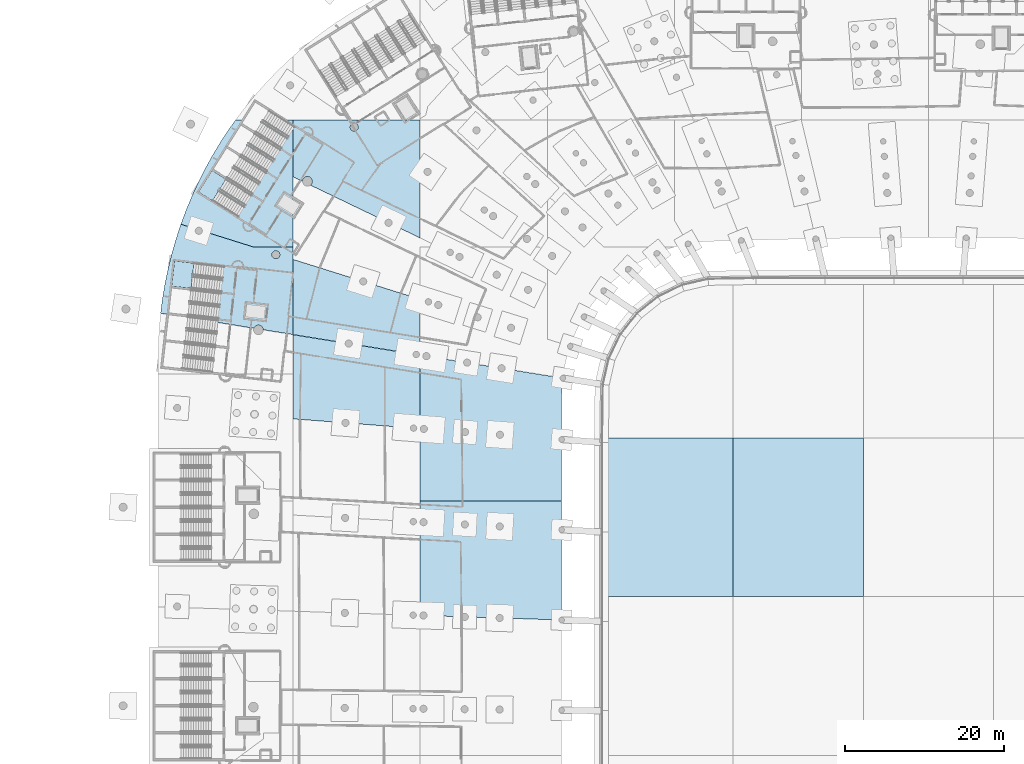
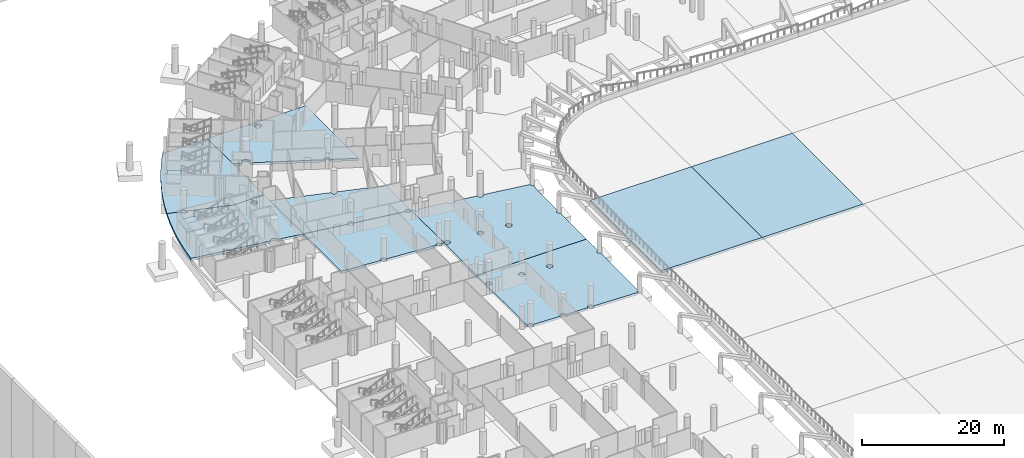
# One storey, part 26 of 142: 11 slabs, 2 elements without a shape of their own.
"""IFC4 building model written with IfcOpenShell, lengths in metres."""

from ifc_helpers import new_model, si_unit, direction, frame, origin, place, context, subcontext, project, spatial, polyline, outline, extrude, material, layer, layer_set, type_object, element, aggregate, save


model = new_model("IFC4")

# Units and contexts
model_context = context("Model", 3, precision=1e-05, world=origin(), true_north=direction((0.0, 1.0)))
body_context = subcontext(model_context, "Body", "Model", "MODEL_VIEW")
ifc_project = project(units=[si_unit("LENGTHUNIT", "METRE"), si_unit("AREAUNIT", "SQUARE_METRE"), si_unit("VOLUMEUNIT", "CUBIC_METRE"), si_unit("PLANEANGLEUNIT", "RADIAN"), si_unit("MASSUNIT", "GRAM", prefix="KILO")], contexts=[model_context])

# Site, building, storey
site_placement = place(None, origin())
site = spatial("IfcSite", under=ifc_project, at=site_placement, CompositionType="ELEMENT")
building_placement = place(site_placement, origin())
building = spatial("IfcBuilding", under=site, at=building_placement, Name="Meseta Stadium", CompositionType="ELEMENT")
storey_placement = place(building_placement, frame((0.0, 0.0, -4.0)))
storey = spatial("IfcBuildingStorey", under=building, at=storey_placement, Name="B1", CompositionType="ELEMENT", Elevation=-4.0)

# Slabs
ifc_material_1 = material(Name="Concrete C30/37", Category="concrete")
ifc_layer_1 = layer(ifc_material_1, 0.39990234375)
ifc_layer_set_1 = layer_set([ifc_layer_1], Name="Base slab 400")
slab_type_1 = type_object("IfcSlabType", Name="Base slab 400", PredefinedType="BASESLAB", material=ifc_layer_set_1)
slab_1_placement = place(storey_placement, frame((0.0, 0.0, -0.39990234375)))
element("IfcSlab", 1, at=slab_1_placement, inside=storey, type_object=slab_type_1, Name="Base slab B1 sector 21 panel 01", PredefinedType="BASESLAB", context=body_context, shape_type="SweptSolid", body=[
    extrude(outline(polyline([(-92.25634765625, 66.28857421875), (-94.127685546875, 66.875244140625), (-94.728759765625, 65.051025390625), (-95.2607421875, 63.20556640625), (-95.722900390625, 61.34130859375), (-96.114990234375, 59.461181640625), (-96.43603515625, 57.5673828125), (-96.6845703125, 55.673095703125), (-84.925537109375, 53.779296875), (-84.92041015625, 53.796142578125), (-84.864501953125, 53.900390625), (-84.789794921875, 53.99169921875), (-84.6982421875, 54.066650390625), (-84.593994140625, 54.122314453125), (-84.48095703125, 54.15673828125), (-84.36328125, 54.168212890625), (-84.24560546875, 54.15673828125), (-84.132568359375, 54.122314453125), (-84.0283203125, 54.066650390625), (-83.93701171875, 53.99169921875), (-83.862060546875, 53.900390625), (-83.806396484375, 53.796142578125), (-83.77197265625, 53.68310546875), (-83.76318359375, 53.592041015625), (-80.0, 52.98583984375), (-80.0, 64.0), (-84.956787109375, 64.0), (-91.423095703125, 66.02734375), (-91.42919921875, 65.96337890625), (-91.455078125, 65.87841796875), (-91.496826171875, 65.80029296875), (-91.552978515625, 65.731689453125), (-91.62158203125, 65.675537109375), (-91.69970703125, 65.6337890625), (-91.784423828125, 65.608154296875), (-91.872802734375, 65.599365234375), (-91.9609375, 65.608154296875), (-92.0458984375, 65.6337890625), (-92.123779296875, 65.675537109375), (-92.1923828125, 65.731689453125), (-92.248779296875, 65.80029296875), (-92.29052734375, 65.87841796875), (-92.316162109375, 65.96337890625), (-92.324951171875, 66.051513671875), (-92.316162109375, 66.139892578125), (-92.29052734375, 66.224609375), (-92.25634765625, 66.28857421875)]), holes=[polyline([(-82.661865234375, 63.1318359375), (-82.63330078125, 63.22607421875), (-82.5869140625, 63.31298828125), (-82.5244140625, 63.38916015625), (-82.4482421875, 63.45166015625), (-82.361328125, 63.498046875), (-82.26708984375, 63.526611328125), (-82.169189453125, 63.5361328125), (-82.071044921875, 63.526611328125), (-81.976806640625, 63.498046875), (-81.889892578125, 63.45166015625), (-81.81396484375, 63.38916015625), (-81.75146484375, 63.31298828125), (-81.704833984375, 63.22607421875), (-81.676513671875, 63.1318359375), (-81.666748046875, 63.03369140625), (-81.676513671875, 62.935791015625), (-81.704833984375, 62.841552734375), (-81.75146484375, 62.754638671875), (-81.81396484375, 62.678466796875), (-81.889892578125, 62.6162109375), (-81.976806640625, 62.569580078125), (-82.071044921875, 62.541015625), (-82.169189453125, 62.531494140625), (-82.26708984375, 62.541015625), (-82.361328125, 62.569580078125), (-82.4482421875, 62.6162109375), (-82.5244140625, 62.678466796875), (-82.5869140625, 62.754638671875), (-82.63330078125, 62.841552734375), (-82.661865234375, 62.935791015625), (-82.67138671875, 63.03369140625), (-82.661865234375, 63.1318359375)])]), origin(), (0.0, 0.0, 1.0), 0.39990234375),
])
slab_2_placement = place(storey_placement, frame((0.0, 0.0, -0.39990234375)))
element("IfcSlab", 2, at=slab_2_placement, inside=storey, type_object=slab_type_1, Name="Base slab B1 sector 21 panel 02", PredefinedType="BASESLAB", context=body_context, shape_type="SweptSolid", body=[
    extrude(outline(polyline([(-91.052978515625, 73.908447265625), (-91.920166015625, 72.19482421875), (-92.722412109375, 70.44970703125), (-93.458740234375, 68.67578125), (-94.127685546875, 66.875244140625), (-92.25634765625, 66.28857421875), (-92.248779296875, 66.302734375), (-92.1923828125, 66.371337890625), (-92.123779296875, 66.427490234375), (-92.0458984375, 66.46923828125), (-91.9609375, 66.4951171875), (-91.872802734375, 66.503662109375), (-91.784423828125, 66.4951171875), (-91.69970703125, 66.46923828125), (-91.62158203125, 66.427490234375), (-91.552978515625, 66.371337890625), (-91.496826171875, 66.302734375), (-91.455078125, 66.224609375), (-91.42919921875, 66.139892578125), (-91.420654296875, 66.051513671875), (-91.423095703125, 66.02734375), (-84.956787109375, 64.0), (-80.0, 64.0), (-80.0, 80.0), (-87.246337890625, 80.0), (-88.073974609375, 78.837646484375), (-89.12841796875, 77.232421875), (-90.121826171875, 75.58837890625), (-91.052978515625, 73.908447265625)])), origin(), (0.0, 0.0, 1.0), 0.39990234375),
])
slab_3_placement = place(storey_placement, frame((0.0, 0.0, -0.39990234375)))
element("IfcSlab", 3, at=slab_3_placement, inside=storey, type_object=slab_type_1, Name="Base slab B1 sector 21 panel 04", PredefinedType="BASESLAB", context=body_context, shape_type="SweptSolid", body=[
    extrude(outline(polyline([(-64.099609375, 50.479736328125), (-64.10498046875, 50.426025390625), (-64.0, 50.4091796875), (-64.0, 57.42919921875), (-70.740234375, 59.54248046875), (-70.751953125, 59.504150390625), (-70.793701171875, 59.426025390625), (-70.85009765625, 59.357421875), (-70.91845703125, 59.30126953125), (-70.99658203125, 59.259521484375), (-71.08154296875, 59.23388671875), (-71.169677734375, 59.22509765625), (-71.2578125, 59.23388671875), (-71.3427734375, 59.259521484375), (-71.4208984375, 59.30126953125), (-71.489501953125, 59.357421875), (-71.545654296875, 59.426025390625), (-71.58740234375, 59.504150390625), (-71.61328125, 59.589111328125), (-71.621826171875, 59.67724609375), (-71.61328125, 59.765380859375), (-71.59912109375, 59.81201171875), (-80.0, 62.44580078125), (-80.0, 52.98583984375), (-73.436279296875, 51.9287109375), (-73.435791015625, 51.935302734375), (-73.409912109375, 52.020263671875), (-73.3681640625, 52.098388671875), (-73.31201171875, 52.1669921875), (-73.243408203125, 52.22314453125), (-73.165283203125, 52.264892578125), (-73.080322265625, 52.290771484375), (-72.9921875, 52.29931640625), (-72.904052734375, 52.290771484375), (-72.819091796875, 52.264892578125), (-72.740966796875, 52.22314453125), (-72.672607421875, 52.1669921875), (-72.6162109375, 52.098388671875), (-72.574462890625, 52.020263671875), (-72.548583984375, 51.935302734375), (-72.5400390625, 51.84716796875), (-72.546142578125, 51.785400390625), (-64.896240234375, 50.553466796875), (-64.895751953125, 50.55810546875), (-64.873046875, 50.633544921875), (-64.835693359375, 50.702880859375), (-64.785888671875, 50.763916015625), (-64.724853515625, 50.81396484375), (-64.655517578125, 50.85107421875), (-64.580078125, 50.873779296875), (-64.501708984375, 50.881591796875), (-64.423095703125, 50.873779296875), (-64.347900390625, 50.85107421875), (-64.2783203125, 50.81396484375), (-64.21728515625, 50.763916015625), (-64.16748046875, 50.702880859375), (-64.13037109375, 50.633544921875), (-64.107421875, 50.55810546875), (-64.099609375, 50.479736328125)])), origin(), (0.0, 0.0, 1.0), 0.39990234375),
])
slab_4_placement = place(storey_placement, frame((0.0, 0.0, -0.39990234375)))
element("IfcSlab", 4, at=slab_4_placement, inside=storey, type_object=slab_type_1, Name="Base slab B1 sector 21 panel 06", PredefinedType="BASESLAB", context=body_context, shape_type="SweptSolid", body=[
    extrude(outline(polyline([(-67.52880859375, 67.14599609375), (-67.520263671875, 67.057861328125), (-67.52880859375, 66.969482421875), (-67.5546875, 66.884765625), (-67.56640625, 66.862548828125), (-64.0, 65.1474609375), (-64.0, 80.0), (-80.0, 80.0), (-80.0, 72.84228515625), (-78.800048828125, 72.26513671875), (-78.80078125, 72.27197265625), (-78.789306640625, 72.3896484375), (-78.7548828125, 72.502685546875), (-78.69921875, 72.60693359375), (-78.624267578125, 72.6982421875), (-78.532958984375, 72.773193359375), (-78.4287109375, 72.8291015625), (-78.3154296875, 72.86328125), (-78.197998046875, 72.875), (-78.080322265625, 72.86328125), (-77.96728515625, 72.8291015625), (-77.863037109375, 72.773193359375), (-77.771484375, 72.6982421875), (-77.696533203125, 72.60693359375), (-77.640869140625, 72.502685546875), (-77.606689453125, 72.3896484375), (-77.594970703125, 72.27197265625), (-77.606689453125, 72.154296875), (-77.640869140625, 72.041259765625), (-77.696533203125, 71.93701171875), (-77.771484375, 71.845703125), (-77.829345703125, 71.79833984375), (-68.37841796875, 67.253173828125), (-68.348388671875, 67.30908203125), (-68.292236328125, 67.377685546875), (-68.2236328125, 67.433837890625), (-68.1455078125, 67.4755859375), (-68.060546875, 67.501220703125), (-67.972412109375, 67.510009765625), (-67.88427734375, 67.501220703125), (-67.79931640625, 67.4755859375), (-67.72119140625, 67.433837890625), (-67.652587890625, 67.377685546875), (-67.596435546875, 67.30908203125), (-67.5546875, 67.23095703125), (-67.52880859375, 67.14599609375)]), holes=[polyline([(-71.956787109375, 78.735595703125), (-72.03271484375, 78.67333984375), (-72.11962890625, 78.626708984375), (-72.2138671875, 78.59814453125), (-72.31201171875, 78.588623046875), (-72.409912109375, 78.59814453125), (-72.504150390625, 78.626708984375), (-72.591064453125, 78.67333984375), (-72.667236328125, 78.735595703125), (-72.729736328125, 78.81201171875), (-72.776123046875, 78.898681640625), (-72.8046875, 78.992919921875), (-72.814453125, 79.091064453125), (-72.8046875, 79.18896484375), (-72.776123046875, 79.283203125), (-72.729736328125, 79.3701171875), (-72.667236328125, 79.4462890625), (-72.591064453125, 79.5087890625), (-72.504150390625, 79.55517578125), (-72.409912109375, 79.583740234375), (-72.31201171875, 79.593505859375), (-72.2138671875, 79.583740234375), (-72.11962890625, 79.55517578125), (-72.03271484375, 79.5087890625), (-71.956787109375, 79.4462890625), (-71.894287109375, 79.3701171875), (-71.847900390625, 79.283203125), (-71.819091796875, 79.18896484375), (-71.8095703125, 79.091064453125), (-71.819091796875, 78.992919921875), (-71.847900390625, 78.898681640625), (-71.894287109375, 78.81201171875), (-71.956787109375, 78.735595703125)])]), origin(), (0.0, 0.0, 1.0), 0.39990234375),
])
slab_5_placement = place(storey_placement, frame((0.0, 0.0, -0.39990234375)))
element("IfcSlab", 5, at=slab_5_placement, inside=storey, type_object=slab_type_1, Name="Base slab B1 sector 28 panel 07", PredefinedType="BASESLAB", context=body_context, shape_type="SweptSolid", body=[
    extrude(outline(polyline([(-73.409912109375, 51.674072265625), (-73.435791015625, 51.759033203125), (-73.4443359375, 51.84716796875), (-73.438232421875, 51.908935546875), (-80.0, 52.9658203125), (-80.0, 42.368408203125), (-73.853515625, 41.896728515625), (-73.84814453125, 41.950439453125), (-73.822509765625, 42.03515625), (-73.78076171875, 42.11328125), (-73.724365234375, 42.181884765625), (-73.656005859375, 42.23828125), (-73.57763671875, 42.280029296875), (-73.492919921875, 42.3056640625), (-73.40478515625, 42.314453125), (-73.31640625, 42.3056640625), (-73.231689453125, 42.280029296875), (-73.153564453125, 42.23828125), (-73.0849609375, 42.181884765625), (-73.02880859375, 42.11328125), (-72.98681640625, 42.03515625), (-72.961181640625, 41.950439453125), (-72.952392578125, 41.8623046875), (-72.955810546875, 41.827880859375), (-65.228759765625, 41.234619140625), (-65.22412109375, 41.282470703125), (-65.201171875, 41.35791015625), (-65.1640625, 41.427490234375), (-65.114013671875, 41.48828125), (-65.05322265625, 41.5380859375), (-64.983642578125, 41.575439453125), (-64.908203125, 41.598388671875), (-64.829833984375, 41.60595703125), (-64.75146484375, 41.598388671875), (-64.676025390625, 41.575439453125), (-64.606689453125, 41.5380859375), (-64.545654296875, 41.48828125), (-64.49560546875, 41.427490234375), (-64.45849609375, 41.35791015625), (-64.435791015625, 41.282470703125), (-64.427978515625, 41.2041015625), (-64.430908203125, 41.17333984375), (-64.0, 41.140380859375), (-64.0, 50.388916015625), (-64.10693359375, 50.406005859375), (-64.107421875, 50.4013671875), (-64.13037109375, 50.325927734375), (-64.16748046875, 50.25634765625), (-64.21728515625, 50.195556640625), (-64.2783203125, 50.1455078125), (-64.347900390625, 50.1083984375), (-64.423095703125, 50.08544921875), (-64.501708984375, 50.077880859375), (-64.580078125, 50.08544921875), (-64.655517578125, 50.1083984375), (-64.724853515625, 50.1455078125), (-64.785888671875, 50.195556640625), (-64.835693359375, 50.25634765625), (-64.873046875, 50.325927734375), (-64.895751953125, 50.4013671875), (-64.903564453125, 50.479736328125), (-64.898193359375, 50.533447265625), (-72.548095703125, 51.765380859375), (-72.548583984375, 51.759033203125), (-72.574462890625, 51.674072265625), (-72.6162109375, 51.595947265625), (-72.672607421875, 51.52734375), (-72.740966796875, 51.47119140625), (-72.819091796875, 51.429443359375), (-72.904052734375, 51.40380859375), (-72.9921875, 51.39501953125), (-73.080322265625, 51.40380859375), (-73.165283203125, 51.429443359375), (-73.243408203125, 51.47119140625), (-73.31201171875, 51.52734375), (-73.3681640625, 51.595947265625), (-73.409912109375, 51.674072265625)])), origin(), (0.0, 0.0, 1.0), 0.39990234375),
])
slab_6_placement = place(storey_placement, frame((0.0, 0.0, -0.39990234375)))
element("IfcSlab", 6, at=slab_6_placement, inside=storey, type_object=slab_type_1, Name="Base slab B1 sector 28 panel 13", PredefinedType="BASESLAB", context=body_context, shape_type="SweptSolid", body=[
    extrude(outline(polyline([(-63.21826171875, 49.82080078125), (-63.306396484375, 49.82958984375), (-63.39111328125, 49.855224609375), (-63.469482421875, 49.89697265625), (-63.537841796875, 49.953369140625), (-63.593994140625, 50.021728515625), (-63.635986328125, 50.10009765625), (-63.66162109375, 50.184814453125), (-63.67041015625, 50.27294921875), (-63.664306640625, 50.334716796875), (-64.0, 50.388916015625), (-64.0, 32.0), (-46.190185546875, 32.0), (-46.18505859375, 39.42138671875), (-46.25341796875, 39.427978515625), (-46.3193359375, 39.447998046875), (-46.380126953125, 39.48046875), (-46.433349609375, 39.5244140625), (-46.477294921875, 39.57763671875), (-46.509765625, 39.638427734375), (-46.52978515625, 39.704345703125), (-46.536376953125, 39.77294921875), (-46.52978515625, 39.841552734375), (-46.509765625, 39.907470703125), (-46.477294921875, 39.96826171875), (-46.433349609375, 40.021484375), (-46.380126953125, 40.0654296875), (-46.3193359375, 40.097900390625), (-46.25341796875, 40.117919921875), (-46.1845703125, 40.12451171875), (-46.18017578125, 45.454345703125), (-46.1572265625, 46.139892578125), (-46.1103515625, 46.82421875), (-46.07568359375, 47.158203125), (-46.108154296875, 47.161376953125), (-46.174072265625, 47.181396484375), (-46.23486328125, 47.2138671875), (-46.2880859375, 47.257568359375), (-46.331787109375, 47.310791015625), (-46.364501953125, 47.37158203125), (-46.384521484375, 47.437744140625), (-46.39111328125, 47.50634765625), (-46.38671875, 47.552001953125), (-53.296142578125, 48.664794921875), (-53.296875, 48.658203125), (-53.322509765625, 48.573486328125), (-53.3642578125, 48.495361328125), (-53.420654296875, 48.4267578125), (-53.489013671875, 48.37060546875), (-53.5673828125, 48.328857421875), (-53.652099609375, 48.302978515625), (-53.740234375, 48.29443359375), (-53.82861328125, 48.302978515625), (-53.913330078125, 48.328857421875), (-53.991455078125, 48.37060546875), (-54.06005859375, 48.4267578125), (-54.1162109375, 48.495361328125), (-54.157958984375, 48.573486328125), (-54.183837890625, 48.658203125), (-54.1923828125, 48.74658203125), (-54.186279296875, 48.808349609375), (-57.64013671875, 49.364501953125), (-57.640869140625, 49.35791015625), (-57.66650390625, 49.273193359375), (-57.708251953125, 49.195068359375), (-57.7646484375, 49.12646484375), (-57.8330078125, 49.0703125), (-57.911376953125, 49.0283203125), (-57.99609375, 49.002685546875), (-58.084228515625, 48.993896484375), (-58.172607421875, 49.002685546875), (-58.25732421875, 49.0283203125), (-58.33544921875, 49.0703125), (-58.404052734375, 49.12646484375), (-58.460205078125, 49.195068359375), (-58.502197265625, 49.273193359375), (-58.52783203125, 49.35791015625), (-58.53662109375, 49.4462890625), (-58.530517578125, 49.5078125), (-62.77392578125, 50.19140625), (-62.774658203125, 50.184814453125), (-62.80029296875, 50.10009765625), (-62.84228515625, 50.021728515625), (-62.8984375, 49.953369140625), (-62.966796875, 49.89697265625), (-63.045166015625, 49.855224609375), (-63.1298828125, 49.82958984375), (-63.21826171875, 49.82080078125)]), holes=[polyline([(-53.5859375, 40.62109375), (-53.544189453125, 40.54296875), (-53.518310546875, 40.4580078125), (-53.509765625, 40.369873046875), (-53.518310546875, 40.28173828125), (-53.544189453125, 40.19677734375), (-53.5859375, 40.11865234375), (-53.64208984375, 40.050048828125), (-53.710693359375, 39.993896484375), (-53.788818359375, 39.9521484375), (-53.873779296875, 39.926513671875), (-53.9619140625, 39.917724609375), (-54.050048828125, 39.926513671875), (-54.135009765625, 39.9521484375), (-54.213134765625, 39.993896484375), (-54.281494140625, 40.050048828125), (-54.337890625, 40.11865234375), (-54.379638671875, 40.19677734375), (-54.405517578125, 40.28173828125), (-54.4140625, 40.369873046875), (-54.405517578125, 40.4580078125), (-54.379638671875, 40.54296875), (-54.337890625, 40.62109375), (-54.281494140625, 40.689697265625), (-54.213134765625, 40.745849609375), (-54.135009765625, 40.78759765625), (-54.050048828125, 40.8134765625), (-53.9619140625, 40.822021484375), (-53.873779296875, 40.8134765625), (-53.788818359375, 40.78759765625), (-53.710693359375, 40.745849609375), (-53.64208984375, 40.689697265625), (-53.5859375, 40.62109375)]), polyline([(-57.972900390625, 40.957763671875), (-57.93115234375, 40.879638671875), (-57.905517578125, 40.794921875), (-57.896728515625, 40.70654296875), (-57.905517578125, 40.618408203125), (-57.93115234375, 40.53369140625), (-57.972900390625, 40.455322265625), (-58.029296875, 40.386962890625), (-58.097900390625, 40.33056640625), (-58.17578125, 40.288818359375), (-58.2607421875, 40.26318359375), (-58.34912109375, 40.25439453125), (-58.437255859375, 40.26318359375), (-58.52197265625, 40.288818359375), (-58.60009765625, 40.33056640625), (-58.668701171875, 40.386962890625), (-58.724853515625, 40.455322265625), (-58.7666015625, 40.53369140625), (-58.79248046875, 40.618408203125), (-58.801025390625, 40.70654296875), (-58.79248046875, 40.794921875), (-58.7666015625, 40.879638671875), (-58.724853515625, 40.957763671875), (-58.668701171875, 41.0263671875), (-58.60009765625, 41.08251953125), (-58.52197265625, 41.12451171875), (-58.437255859375, 41.150146484375), (-58.34912109375, 41.15869140625), (-58.2607421875, 41.150146484375), (-58.17578125, 41.12451171875), (-58.097900390625, 41.08251953125), (-58.029296875, 41.0263671875), (-57.972900390625, 40.957763671875)]), polyline([(-63.15771484375, 41.355712890625), (-63.115966796875, 41.277587890625), (-63.090087890625, 41.19287109375), (-63.08154296875, 41.1044921875), (-63.090087890625, 41.016357421875), (-63.115966796875, 40.931396484375), (-63.15771484375, 40.853271484375), (-63.214111328125, 40.784912109375), (-63.282470703125, 40.728515625), (-63.360595703125, 40.686767578125), (-63.445556640625, 40.6611328125), (-63.53369140625, 40.65234375), (-63.621826171875, 40.6611328125), (-63.706787109375, 40.686767578125), (-63.784912109375, 40.728515625), (-63.853515625, 40.784912109375), (-63.90966796875, 40.853271484375), (-63.951416015625, 40.931396484375), (-63.977294921875, 41.016357421875), (-63.98583984375, 41.1044921875), (-63.977294921875, 41.19287109375), (-63.951416015625, 41.277587890625), (-63.90966796875, 41.355712890625), (-63.853515625, 41.42431640625), (-63.784912109375, 41.48046875), (-63.706787109375, 41.522216796875), (-63.621826171875, 41.548095703125), (-63.53369140625, 41.556640625), (-63.445556640625, 41.548095703125), (-63.360595703125, 41.522216796875), (-63.282470703125, 41.48046875), (-63.214111328125, 41.42431640625), (-63.15771484375, 41.355712890625)])]), origin(), (0.0, 0.0, 1.0), 0.39990234375),
])
slab_7_placement = place(storey_placement, frame((0.0, 0.0, -0.39990234375)))
element("IfcSlab", 7, at=slab_7_placement, inside=storey, type_object=slab_type_1, Name="Base slab B1 sector 28 panel 17", PredefinedType="BASESLAB", context=body_context, shape_type="SweptSolid", body=[
    extrude(outline(polyline([(-63.49951171875, 18.0615234375), (-63.414794921875, 18.035888671875), (-63.336669921875, 17.993896484375), (-63.26806640625, 17.937744140625), (-63.2119140625, 17.869140625), (-63.169921875, 17.791015625), (-63.144287109375, 17.706298828125), (-63.135498046875, 17.617919921875), (-63.13720703125, 17.603271484375), (-58.84130859375, 17.4619140625), (-58.833984375, 17.535400390625), (-58.808349609375, 17.6201171875), (-58.7666015625, 17.6982421875), (-58.710205078125, 17.766845703125), (-58.641845703125, 17.822998046875), (-58.563720703125, 17.86474609375), (-58.478759765625, 17.890380859375), (-58.390625, 17.899169921875), (-58.302490234375, 17.890380859375), (-58.217529296875, 17.86474609375), (-58.139404296875, 17.822998046875), (-58.07080078125, 17.766845703125), (-58.0146484375, 17.6982421875), (-57.972900390625, 17.6201171875), (-57.947021484375, 17.535400390625), (-57.9384765625, 17.447021484375), (-57.93994140625, 17.43212890625), (-54.443603515625, 17.317138671875), (-54.4365234375, 17.390625), (-54.41064453125, 17.475341796875), (-54.368896484375, 17.5537109375), (-54.312744140625, 17.6220703125), (-54.244140625, 17.678466796875), (-54.166015625, 17.72021484375), (-54.081298828125, 17.745849609375), (-53.992919921875, 17.754638671875), (-53.90478515625, 17.745849609375), (-53.81982421875, 17.72021484375), (-53.74169921875, 17.678466796875), (-53.673095703125, 17.6220703125), (-53.616943359375, 17.5537109375), (-53.5751953125, 17.475341796875), (-53.549560546875, 17.390625), (-53.540771484375, 17.302490234375), (-53.542236328125, 17.28759765625), (-46.5478515625, 17.0576171875), (-46.5419921875, 17.114501953125), (-46.522216796875, 17.180419921875), (-46.489501953125, 17.241455078125), (-46.44580078125, 17.294677734375), (-46.392578125, 17.33837890625), (-46.331787109375, 17.370849609375), (-46.265869140625, 17.390869140625), (-46.197021484375, 17.397705078125), (-46.1923828125, 28.05810546875), (-46.2607421875, 28.064697265625), (-46.326904296875, 28.084716796875), (-46.3876953125, 28.1171875), (-46.44091796875, 28.160888671875), (-46.484619140625, 28.21435546875), (-46.51708984375, 28.275146484375), (-46.537109375, 28.341064453125), (-46.5439453125, 28.40966796875), (-46.537109375, 28.478271484375), (-46.51708984375, 28.544189453125), (-46.484619140625, 28.60498046875), (-46.44091796875, 28.658203125), (-46.3876953125, 28.7021484375), (-46.326904296875, 28.734619140625), (-46.2607421875, 28.754638671875), (-46.19189453125, 28.76123046875), (-46.190185546875, 32.0), (-64.0, 32.0), (-64.0, 29.482177734375), (-63.98388671875, 29.53515625), (-63.942138671875, 29.61328125), (-63.8857421875, 29.681884765625), (-63.8173828125, 29.738037109375), (-63.7392578125, 29.77978515625), (-63.654296875, 29.8056640625), (-63.566162109375, 29.814453125), (-63.477783203125, 29.8056640625), (-63.39306640625, 29.77978515625), (-63.31494140625, 29.738037109375), (-63.246337890625, 29.681884765625), (-63.190185546875, 29.61328125), (-63.1484375, 29.53515625), (-63.12255859375, 29.450439453125), (-63.114013671875, 29.3623046875), (-63.12255859375, 29.27392578125), (-63.1484375, 29.189208984375), (-63.190185546875, 29.111083984375), (-63.246337890625, 29.04248046875), (-63.31494140625, 28.986083984375), (-63.39306640625, 28.9443359375), (-63.477783203125, 28.918701171875), (-63.566162109375, 28.909912109375), (-63.654296875, 28.918701171875), (-63.7392578125, 28.9443359375), (-63.8173828125, 28.986083984375), (-63.8857421875, 29.04248046875), (-63.942138671875, 29.111083984375), (-63.98388671875, 29.189208984375), (-64.0, 29.2421875), (-64.0, 17.801513671875), (-63.9638671875, 17.869140625), (-63.907470703125, 17.937744140625), (-63.839111328125, 17.993896484375), (-63.7607421875, 18.035888671875), (-63.676025390625, 18.0615234375), (-63.587890625, 18.0703125), (-63.49951171875, 18.0615234375)]), holes=[polyline([(-58.625, 28.701416015625), (-58.693603515625, 28.7578125), (-58.75, 28.826416015625), (-58.791748046875, 28.904541015625), (-58.8173828125, 28.9892578125), (-58.826171875, 29.077392578125), (-58.8173828125, 29.165771484375), (-58.791748046875, 29.25048828125), (-58.75, 29.32861328125), (-58.693603515625, 29.397216796875), (-58.625, 29.45361328125), (-58.546875, 29.495361328125), (-58.462158203125, 29.52099609375), (-58.373779296875, 29.52978515625), (-58.28564453125, 29.52099609375), (-58.200927734375, 29.495361328125), (-58.122802734375, 29.45361328125), (-58.05419921875, 29.397216796875), (-57.997802734375, 29.32861328125), (-57.956298828125, 29.25048828125), (-57.930419921875, 29.165771484375), (-57.921630859375, 29.077392578125), (-57.930419921875, 28.9892578125), (-57.956298828125, 28.904541015625), (-57.997802734375, 28.826416015625), (-58.05419921875, 28.7578125), (-58.122802734375, 28.701416015625), (-58.200927734375, 28.659912109375), (-58.28564453125, 28.634033203125), (-58.373779296875, 28.625244140625), (-58.462158203125, 28.634033203125), (-58.546875, 28.659912109375), (-58.625, 28.701416015625)]), polyline([(-54.231689453125, 28.460693359375), (-54.30029296875, 28.516845703125), (-54.3564453125, 28.58544921875), (-54.398193359375, 28.66357421875), (-54.424072265625, 28.748291015625), (-54.4326171875, 28.836669921875), (-54.424072265625, 28.9248046875), (-54.398193359375, 29.009765625), (-54.3564453125, 29.087890625), (-54.30029296875, 29.156494140625), (-54.231689453125, 29.212646484375), (-54.153564453125, 29.25439453125), (-54.068603515625, 29.280029296875), (-53.98046875, 29.288818359375), (-53.892333984375, 29.280029296875), (-53.8076171875, 29.25439453125), (-53.729248046875, 29.212646484375), (-53.660888671875, 29.156494140625), (-53.6044921875, 29.087890625), (-53.562744140625, 29.009765625), (-53.537109375, 28.9248046875), (-53.5283203125, 28.836669921875), (-53.537109375, 28.748291015625), (-53.562744140625, 28.66357421875), (-53.6044921875, 28.58544921875), (-53.660888671875, 28.516845703125), (-53.729248046875, 28.460693359375), (-53.8076171875, 28.4189453125), (-53.892333984375, 28.393310546875), (-53.98046875, 28.384521484375), (-54.068603515625, 28.393310546875), (-54.153564453125, 28.4189453125), (-54.231689453125, 28.460693359375)])]), origin(), (0.0, 0.0, 1.0), 0.39990234375),
])
ifc_material_2 = material(Name="Natural turf on sand and drainage layers")
ifc_layer_2 = layer(ifc_material_2, 0.39990234375)
ifc_layer_set_2 = layer_set([ifc_layer_2], Name="Pitch turf 400")
slab_type_2 = type_object("IfcSlabType", Name="Pitch turf 400", PredefinedType="BASESLAB", material=ifc_layer_set_2)
slab_8_placement = place(storey_placement, frame((0.0, 0.0, -0.39990234375)))
element("IfcSlab", 8, at=slab_8_placement, inside=storey, type_object=slab_type_2, Name="Playing pitch module 21", PredefinedType="BASESLAB", context=body_context, shape_type="SweptSolid", body=[
    extrude(outline(polyline([(-40.97998046875, 39.98681640625), (-40.97998046875, 19.993408203125), (-24.587890625, 19.993408203125), (-24.587890625, 39.98681640625), (-40.97998046875, 39.98681640625)])), origin(), (0.0, 0.0, 1.0), 0.39990234375),
])
slab_9_placement = place(storey_placement, frame((0.0, 0.0, -0.39990234375)))
element("IfcSlab", 9, at=slab_9_placement, inside=storey, type_object=slab_type_2, Name="Playing pitch module 22", PredefinedType="BASESLAB", context=body_context, shape_type="SweptSolid", body=[
    extrude(outline(polyline([(-8.196044921875, 19.993408203125), (-8.196044921875, 39.98681640625), (-24.587890625, 39.98681640625), (-24.587890625, 19.993408203125), (-8.196044921875, 19.993408203125)])), origin(), (0.0, 0.0, 1.0), 0.39990234375),
])

# Stair, slab
ifc_material_3 = material(Name="Concrete C40/50", Category="concrete")
stair_type = type_object("IfcStairType", Name="Exit stair 2 flights 154 mm risers", PredefinedType="HALF_TURN_STAIR", material=ifc_material_3)
stair_1_placement = place(storey_placement, origin())
stair_1 = element("IfcStair", 10, at=stair_1_placement, inside=storey, type_object=stair_type, Name="ST56 B1", PredefinedType="HALF_TURN_STAIR")
ifc_material_4 = material(Name="Concrete C40/50", Category="concrete")
ifc_layer_3 = layer(ifc_material_4, 0.199951171875)
ifc_layer_set_3 = layer_set([ifc_layer_3], Name="Stair landing 200")
slab_type_3 = type_object("IfcSlabType", Name="Stair landing 200", PredefinedType="LANDING", material=ifc_layer_set_3)
slab_10_placement = place(storey_placement, frame((0.0, 0.0, 1.800048828125)))
slab_10 = element("IfcSlab", 11, at=slab_10_placement, type_object=slab_type_3, Name="ST56 B1 landing 1", PredefinedType="LANDING", context=body_context, shape_type="SweptSolid", body=[
    extrude(outline(polyline([(-88.445556640625, 72.536865234375), (-90.1982421875, 73.63818359375), (-91.90087890625, 70.928466796875), (-90.148193359375, 69.8271484375), (-88.445556640625, 72.536865234375)])), origin(), (0.0, 0.0, 1.0), 0.199951171875),
])
aggregate(stair_1, [slab_10])

stair_2_placement = place(storey_placement, origin())
stair_2 = element("IfcStair", 12, at=stair_2_placement, inside=storey, type_object=stair_type, Name="ST57 B1", PredefinedType="HALF_TURN_STAIR")
slab_11_placement = place(storey_placement, frame((0.0, 0.0, 1.800048828125)))
slab_11 = element("IfcSlab", 13, at=slab_11_placement, type_object=slab_type_3, Name="ST57 B1 landing 1", PredefinedType="LANDING", context=body_context, shape_type="SweptSolid", body=[
    extrude(outline(polyline([(-92.48095703125, 61.9794921875), (-94.935546875, 62.256103515625), (-95.293701171875, 59.076171875), (-92.83935546875, 58.799560546875), (-92.48095703125, 61.9794921875)])), origin(), (0.0, 0.0, 1.0), 0.199951171875),
])
aggregate(stair_2, [slab_11])

save(model, "model.ifc")
